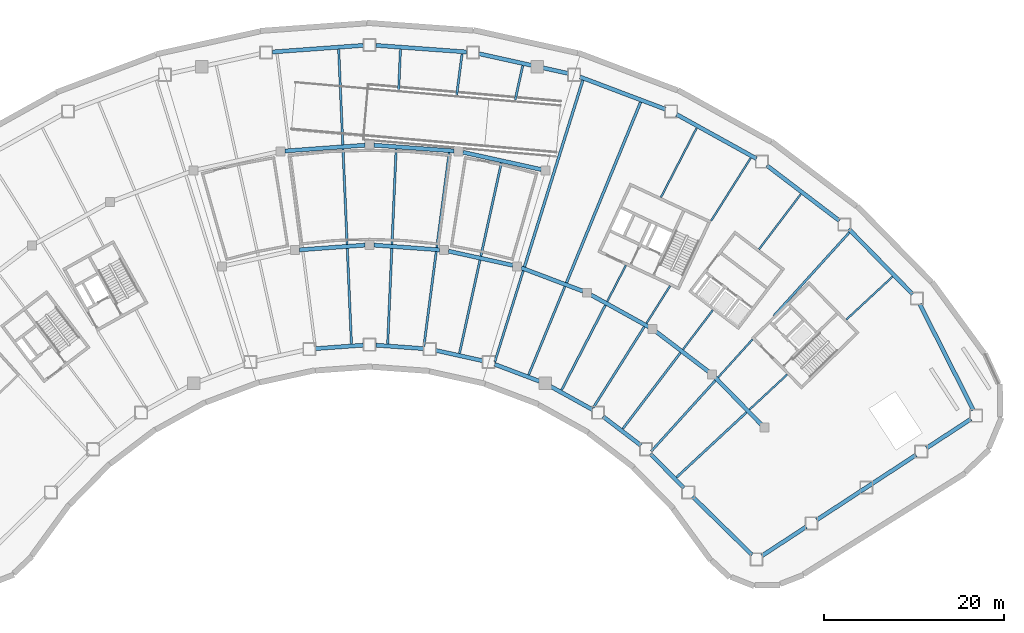
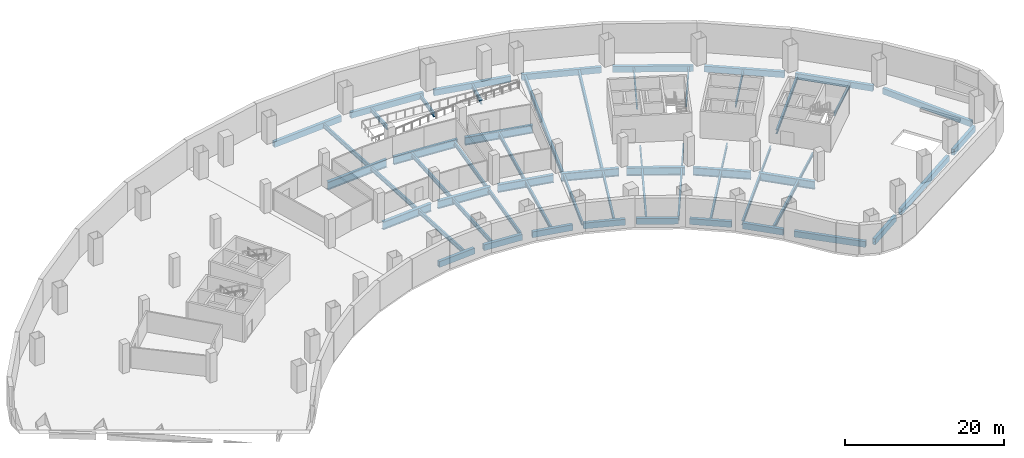
# One storey, part 2 of 11: 60 beams.
"""IFC4 building model written with IfcOpenShell, lengths in metres."""

from ifc_helpers import new_model, si_unit, direction, frame, origin, origin_2d, place, context, subcontext, project, spatial, hollow_rectangle, i_section, extrude, material, material_profile, profile_set, type_object, element, save


model = new_model("IFC4")

# Units and contexts
model_context = context("Model", 3, precision=1e-05, world=origin(), true_north=direction((0.0, 1.0)))
body_context = subcontext(model_context, "Body", "Model", "MODEL_VIEW")
ifc_project = project(units=[si_unit("LENGTHUNIT", "METRE"), si_unit("AREAUNIT", "SQUARE_METRE"), si_unit("VOLUMEUNIT", "CUBIC_METRE"), si_unit("PLANEANGLEUNIT", "RADIAN"), si_unit("MASSUNIT", "GRAM", prefix="KILO")], contexts=[model_context])

# Site, building, storey
site_placement = place(None, origin())
site = spatial("IfcSite", under=ifc_project, at=site_placement, CompositionType="ELEMENT")
building_placement = place(site_placement, origin())
building = spatial("IfcBuilding", under=site, at=building_placement, Name="Tuul Gate Civic Tower", CompositionType="ELEMENT")
storey_placement = place(building_placement, frame((0.0, 0.0, -4.5)))
storey = spatial("IfcBuildingStorey", under=building, at=storey_placement, Name="Basement 1", CompositionType="ELEMENT", Elevation=-4.5)

# Beams
ifc_material_1 = material(Name="Steel S355", Category="steel")
ifc_material_profile_1 = material_profile(ifc_material_1, i_section(OverallWidth=0.199951171875, OverallDepth=0.5, WebThickness=0.010009765625, FlangeThickness=0.01611328125, at=origin_2d()), Name="PG500x200x10x16")
ifc_profile_set_1 = profile_set([ifc_material_profile_1], Name="Steel S355")
beam_type_1 = type_object("IfcBeamType", Name="STR-FLOOR BEAM-PG500x200x10x16", PredefinedType="BEAM", material=ifc_profile_set_1)
beam_1_placement = place(storey_placement, frame((42.313232421875, -20.696533203125, -0.64990234375), z_axis=(0.732672121193, 0.680581782615, 0.0), x_axis=(-0.680581782615, 0.732672121193, 0.0)))
element("IfcBeam", 1, at=beam_1_placement, inside=storey, type_object=beam_type_1, Name="Floor beam", PredefinedType="BEAM", context=body_context, shape_type="SweptSolid", body=[
    extrude(i_section(OverallWidth=0.199951171875, OverallDepth=0.5, WebThickness=0.010009765625, FlangeThickness=0.01611328125, at=origin_2d()), origin(), (0.0, 0.0, 1.0), 5.73193359375),
])
beam_2_placement = place(storey_placement, frame((53.109375, -10.668212890625, -0.64990234375), z_axis=(0.732687862246, 0.680564836381, 0.0), x_axis=(-0.680564836381, 0.732687862246, 0.0)))
element("IfcBeam", 2, at=beam_2_placement, inside=storey, type_object=beam_type_1, Name="Floor beam", PredefinedType="BEAM", context=body_context, shape_type="SweptSolid", body=[
    extrude(i_section(OverallWidth=0.199951171875, OverallDepth=0.5, WebThickness=0.010009765625, FlangeThickness=0.01611328125, at=origin_2d()), origin(), (0.0, 0.0, 1.0), 6.997802734375),
])
beam_3_placement = place(storey_placement, frame((38.812255859375, -17.125, -0.64990234375), z_axis=(0.671102625073, 0.741364462744, 0.0), x_axis=(-0.741364462744, 0.671102625073, 0.0)))
element("IfcBeam", 3, at=beam_3_placement, inside=storey, type_object=beam_type_1, Name="Floor beam", PredefinedType="BEAM", context=body_context, shape_type="SweptSolid", body=[
    extrude(i_section(OverallWidth=0.199951171875, OverallDepth=0.5, WebThickness=0.010009765625, FlangeThickness=0.01611328125, at=origin_2d()), origin(), (0.0, 0.0, 1.0), 5.740234375),
])
beam_4_placement = place(storey_placement, frame((34.8984375, -14.01220703125, -0.64990234375), z_axis=(0.604519082905, 0.79659065925, 0.0), x_axis=(-0.79659065925, 0.604519082905, 0.0)))
element("IfcBeam", 4, at=beam_4_placement, inside=storey, type_object=beam_type_1, Name="Floor beam", PredefinedType="BEAM", context=body_context, shape_type="SweptSolid", body=[
    extrude(i_section(OverallWidth=0.199951171875, OverallDepth=0.5, WebThickness=0.010009765625, FlangeThickness=0.01611328125, at=origin_2d()), origin(), (0.0, 0.0, 1.0), 5.520263671875),
])
beam_5_placement = place(storey_placement, frame((43.373779296875, -2.84375, -0.64990234375), z_axis=(0.604512693182, 0.796595508261, 0.0), x_axis=(-0.796595508261, 0.604512693182, 0.0)))
element("IfcBeam", 5, at=beam_5_placement, inside=storey, type_object=beam_type_1, Name="Floor beam", PredefinedType="BEAM", context=body_context, shape_type="SweptSolid", body=[
    extrude(i_section(OverallWidth=0.199951171875, OverallDepth=0.5, WebThickness=0.010009765625, FlangeThickness=0.01611328125, at=origin_2d()), origin(), (0.0, 0.0, 1.0), 7.704833984375),
])
beam_6_placement = place(storey_placement, frame((30.841552734375, -11.089599609375, -0.64990234375), z_axis=(0.533401895613, 0.845861937763, 0.0), x_axis=(-0.845861937763, 0.533401895613, 0.0)))
element("IfcBeam", 6, at=beam_6_placement, inside=storey, type_object=beam_type_1, Name="Floor beam", PredefinedType="BEAM", context=body_context, shape_type="SweptSolid", body=[
    extrude(i_section(OverallWidth=0.199951171875, OverallDepth=0.5, WebThickness=0.010009765625, FlangeThickness=0.01611328125, at=origin_2d()), origin(), (0.0, 0.0, 1.0), 4.92724609375),
])
beam_7_placement = place(storey_placement, frame((38.0400390625, 0.325927734375, -0.64990234375), z_axis=(0.53337261638, 0.845880400586, 0.0), x_axis=(-0.845880400586, 0.53337261638, 0.0)))
element("IfcBeam", 7, at=beam_7_placement, inside=storey, type_object=beam_type_1, Name="Floor beam", PredefinedType="BEAM", context=body_context, shape_type="SweptSolid", body=[
    extrude(i_section(OverallWidth=0.199951171875, OverallDepth=0.5, WebThickness=0.010009765625, FlangeThickness=0.01611328125, at=origin_2d()), origin(), (0.0, 0.0, 1.0), 8.263916015625),
])
beam_8_placement = place(storey_placement, frame((26.468017578125, -8.6650390625, -0.64990234375), z_axis=(0.458251317749, 0.88882266498, 0.0), x_axis=(-0.88882266498, 0.458251317749, 0.0)))
element("IfcBeam", 8, at=beam_8_placement, inside=storey, type_object=beam_type_1, Name="Floor beam", PredefinedType="BEAM", context=body_context, shape_type="SweptSolid", body=[
    extrude(i_section(OverallWidth=0.199951171875, OverallDepth=0.5, WebThickness=0.010009765625, FlangeThickness=0.01611328125, at=origin_2d()), origin(), (0.0, 0.0, 1.0), 4.54248046875),
])
beam_9_placement = place(storey_placement, frame((32.447998046875, 2.933349609375, -0.64990234375), z_axis=(0.458265539673, 0.888815332422, 0.0), x_axis=(-0.888815332422, 0.458265539673, 0.0)))
element("IfcBeam", 9, at=beam_9_placement, inside=storey, type_object=beam_type_1, Name="Floor beam", PredefinedType="BEAM", context=body_context, shape_type="SweptSolid", body=[
    extrude(i_section(OverallWidth=0.199951171875, OverallDepth=0.5, WebThickness=0.010009765625, FlangeThickness=0.01611328125, at=origin_2d()), origin(), (0.0, 0.0, 1.0), 8.685302734375),
])
ifc_material_2 = material(Name="Steel S355", Category="steel")
ifc_material_profile_2 = material_profile(ifc_material_2, i_section(OverallWidth=0.25, OverallDepth=0.64990234375, WebThickness=0.011962890625, FlangeThickness=0.02001953125, at=origin_2d()), Name="PG650x250x12x20")
ifc_profile_set_2 = profile_set([ifc_material_profile_2], Name="Steel S355")
beam_type_2 = type_object("IfcBeamType", Name="STR-FLOOR BEAM-PG650x250x12x20", PredefinedType="BEAM", material=ifc_profile_set_2)
beam_10_placement = place(storey_placement, frame((34.19580078125, -28.236572265625, -0.72509765625), z_axis=(0.732685493637, 0.680567386387, 0.0), x_axis=(-0.680567386387, 0.732685493637, 0.0)))
element("IfcBeam", 10, at=beam_10_placement, inside=storey, type_object=beam_type_2, Name="Floor beam", PredefinedType="BEAM", context=body_context, shape_type="SweptSolid", body=[
    extrude(i_section(OverallWidth=0.25, OverallDepth=0.64990234375, WebThickness=0.011962890625, FlangeThickness=0.02001953125, at=origin_2d()), origin(), (0.0, 0.0, 1.0), 10.62890625),
])
beam_11_placement = place(storey_placement, frame((31.366455078125, -25.35009765625, -0.72509765625), z_axis=(0.671117501912, 0.741350995567, 0.0), x_axis=(-0.741350995567, 0.671117501912, 0.0)))
element("IfcBeam", 11, at=beam_11_placement, inside=storey, type_object=beam_type_2, Name="Floor beam", PredefinedType="BEAM", context=body_context, shape_type="SweptSolid", body=[
    extrude(i_section(OverallWidth=0.25, OverallDepth=0.64990234375, WebThickness=0.011962890625, FlangeThickness=0.02001953125, at=origin_2d()), origin(), (0.0, 0.0, 1.0), 10.643798828125),
])
beam_12_placement = place(storey_placement, frame((45.019775390625, -10.267578125, -0.72509765625), z_axis=(0.671117634609, 0.741350875441, 0.0), x_axis=(-0.741350875441, 0.671117634609, 0.0)))
element("IfcBeam", 12, at=beam_12_placement, inside=storey, type_object=beam_type_2, Name="Floor beam", PredefinedType="BEAM", context=body_context, shape_type="SweptSolid", body=[
    extrude(i_section(OverallWidth=0.25, OverallDepth=0.64990234375, WebThickness=0.011962890625, FlangeThickness=0.02001953125, at=origin_2d()), origin(), (0.0, 0.0, 1.0), 12.51416015625),
])
beam_13_placement = place(storey_placement, frame((28.20361328125, -22.83447265625, -0.72509765625), z_axis=(0.604505162529, 0.796601222995, 0.0), x_axis=(-0.796601222995, 0.604505162529, 0.0)))
element("IfcBeam", 13, at=beam_13_placement, inside=storey, type_object=beam_type_2, Name="Floor beam", PredefinedType="BEAM", context=body_context, shape_type="SweptSolid", body=[
    extrude(i_section(OverallWidth=0.25, OverallDepth=0.64990234375, WebThickness=0.011962890625, FlangeThickness=0.02001953125, at=origin_2d()), origin(), (0.0, 0.0, 1.0), 10.625),
])
beam_14_placement = place(storey_placement, frame((24.9248046875, -20.47265625, -0.72509765625), z_axis=(0.533386929433, 0.845871375275, 0.0), x_axis=(-0.845871375275, 0.533386929433, 0.0)))
element("IfcBeam", 14, at=beam_14_placement, inside=storey, type_object=beam_type_2, Name="Floor beam", PredefinedType="BEAM", context=body_context, shape_type="SweptSolid", body=[
    extrude(i_section(OverallWidth=0.25, OverallDepth=0.64990234375, WebThickness=0.011962890625, FlangeThickness=0.02001953125, at=origin_2d()), origin(), (0.0, 0.0, 1.0), 10.641845703125),
])
beam_15_placement = place(storey_placement, frame((21.390380859375, -18.512939453125, -0.72509765625), z_axis=(0.45825908174, 0.888818662047, 0.0), x_axis=(-0.888818662047, 0.45825908174, 0.0)))
element("IfcBeam", 15, at=beam_15_placement, inside=storey, type_object=beam_type_2, Name="Floor beam", PredefinedType="BEAM", context=body_context, shape_type="SweptSolid", body=[
    extrude(i_section(OverallWidth=0.25, OverallDepth=0.64990234375, WebThickness=0.011962890625, FlangeThickness=0.02001953125, at=origin_2d()), origin(), (0.0, 0.0, 1.0), 10.629638671875),
])
beam_16_placement = place(storey_placement, frame((17.722900390625, -16.822021484375, -0.72509765625), z_axis=(0.379704054961, 0.92510801026, 0.0), x_axis=(-0.92510801026, 0.379704054961, 0.0)))
element("IfcBeam", 16, at=beam_16_placement, inside=storey, type_object=beam_type_2, Name="Floor beam", PredefinedType="BEAM", context=body_context, shape_type="SweptSolid", body=[
    extrude(i_section(OverallWidth=0.25, OverallDepth=0.64990234375, WebThickness=0.011962890625, FlangeThickness=0.02001953125, at=origin_2d()), origin(), (0.0, 0.0, 1.0), 10.629150390625),
])
beam_17_placement = place(storey_placement, frame((13.9423828125, -15.392822265625, -0.72509765625), z_axis=(0.298314175954, 0.954467732522, 0.0), x_axis=(-0.954467732522, 0.298314175954, 0.0)))
element("IfcBeam", 17, at=beam_17_placement, inside=storey, type_object=beam_type_2, Name="Floor beam", PredefinedType="BEAM", context=body_context, shape_type="SweptSolid", body=[
    extrude(i_section(OverallWidth=0.25, OverallDepth=0.64990234375, WebThickness=0.011962890625, FlangeThickness=0.02001953125, at=origin_2d()), origin(), (0.0, 0.0, 1.0), 10.643310546875),
])
beam_18_placement = place(storey_placement, frame((10.016845703125, -14.432861328125, -0.72509765625), z_axis=(0.21468424909, 0.976683507178, 0.0), x_axis=(-0.976683507178, 0.21468424909, 0.0)))
element("IfcBeam", 18, at=beam_18_placement, inside=storey, type_object=beam_type_2, Name="Floor beam", PredefinedType="BEAM", context=body_context, shape_type="SweptSolid", body=[
    extrude(i_section(OverallWidth=0.25, OverallDepth=0.64990234375, WebThickness=0.011962890625, FlangeThickness=0.02001953125, at=origin_2d()), origin(), (0.0, 0.0, 1.0), 10.625),
])
beam_19_placement = place(storey_placement, frame((12.39453125, -3.6162109375, -0.72509765625), z_axis=(0.214701726188, 0.976679665383, 0.0), x_axis=(-0.976679665383, 0.214701726188, 0.0)))
element("IfcBeam", 19, at=beam_19_placement, inside=storey, type_object=beam_type_2, Name="Floor beam", PredefinedType="BEAM", context=body_context, shape_type="SweptSolid", body=[
    extrude(i_section(OverallWidth=0.25, OverallDepth=0.64990234375, WebThickness=0.011962890625, FlangeThickness=0.02001953125, at=origin_2d()), origin(), (0.0, 0.0, 1.0), 10.650146484375),
])
beam_20_placement = place(storey_placement, frame((16.222900390625, 13.79931640625, -0.72509765625), z_axis=(0.214672804093, 0.976686022826, 0.0), x_axis=(-0.976686022826, 0.214672804093, 0.0)))
element("IfcBeam", 20, at=beam_20_placement, inside=storey, type_object=beam_type_2, Name="Floor beam", PredefinedType="BEAM", context=body_context, shape_type="SweptSolid", body=[
    extrude(i_section(OverallWidth=0.25, OverallDepth=0.64990234375, WebThickness=0.011962890625, FlangeThickness=0.02001953125, at=origin_2d()), origin(), (0.0, 0.0, 1.0), 3.89404296875),
])
beam_21_placement = place(storey_placement, frame((6.05029296875, -13.660888671875, -0.72509765625), z_axis=(0.129450984253, 0.991585822143, 0.0), x_axis=(-0.991585822143, 0.129450984253, 0.0)))
element("IfcBeam", 21, at=beam_21_placement, inside=storey, type_object=beam_type_2, Name="Floor beam", PredefinedType="BEAM", context=body_context, shape_type="SweptSolid", body=[
    extrude(i_section(OverallWidth=0.25, OverallDepth=0.64990234375, WebThickness=0.011962890625, FlangeThickness=0.02001953125, at=origin_2d()), origin(), (0.0, 0.0, 1.0), 10.642578125),
])
beam_22_placement = place(storey_placement, frame((7.486572265625, -2.660888671875, -0.72509765625), z_axis=(0.129466374982, 0.991583812771, 0.0), x_axis=(-0.991583812771, 0.129466374982, 0.0)))
element("IfcBeam", 22, at=beam_22_placement, inside=storey, type_object=beam_type_2, Name="Floor beam", PredefinedType="BEAM", context=body_context, shape_type="SweptSolid", body=[
    extrude(i_section(OverallWidth=0.25, OverallDepth=0.64990234375, WebThickness=0.011962890625, FlangeThickness=0.02001953125, at=origin_2d()), origin(), (0.0, 0.0, 1.0), 10.667724609375),
])
beam_23_placement = place(storey_placement, frame((9.7099609375, 14.369140625, -0.72509765625), z_axis=(0.12945068519, 0.991585861186, 0.0), x_axis=(-0.991585861186, 0.12945068519, 0.0)))
element("IfcBeam", 23, at=beam_23_placement, inside=storey, type_object=beam_type_2, Name="Floor beam", PredefinedType="BEAM", context=body_context, shape_type="SweptSolid", body=[
    extrude(i_section(OverallWidth=0.25, OverallDepth=0.64990234375, WebThickness=0.011962890625, FlangeThickness=0.02001953125, at=origin_2d()), origin(), (0.0, 0.0, 1.0), 4.586669921875),
])
beam_24_placement = place(storey_placement, frame((2.019287109375, -13.36865234375, -0.72509765625), z_axis=(0.043272760157, 0.999063295406, 0.0), x_axis=(-0.999063295406, 0.043272760157, 0.0)))
element("IfcBeam", 24, at=beam_24_placement, inside=storey, type_object=beam_type_2, Name="Floor beam", PredefinedType="BEAM", context=body_context, shape_type="SweptSolid", body=[
    extrude(i_section(OverallWidth=0.25, OverallDepth=0.64990234375, WebThickness=0.011962890625, FlangeThickness=0.02001953125, at=origin_2d()), origin(), (0.0, 0.0, 1.0), 10.62939453125),
])
beam_25_placement = place(storey_placement, frame((2.49853515625, -2.299560546875, -0.72509765625), z_axis=(0.043262210192, 0.999063752305, 0.0), x_axis=(-0.999063752305, 0.043262210192, 0.0)))
element("IfcBeam", 25, at=beam_25_placement, inside=storey, type_object=beam_type_2, Name="Floor beam", PredefinedType="BEAM", context=body_context, shape_type="SweptSolid", body=[
    extrude(i_section(OverallWidth=0.25, OverallDepth=0.64990234375, WebThickness=0.011962890625, FlangeThickness=0.02001953125, at=origin_2d()), origin(), (0.0, 0.0, 1.0), 10.654541015625),
])
beam_26_placement = place(storey_placement, frame((3.244873046875, 14.934814453125, -0.72509765625), z_axis=(0.04328835746, 0.999062619713, 0.0), x_axis=(-0.999062619713, 0.04328835746, 0.0)))
element("IfcBeam", 26, at=beam_26_placement, inside=storey, type_object=beam_type_2, Name="Floor beam", PredefinedType="BEAM", context=body_context, shape_type="SweptSolid", body=[
    extrude(i_section(OverallWidth=0.25, OverallDepth=0.64990234375, WebThickness=0.011962890625, FlangeThickness=0.02001953125, at=origin_2d()), origin(), (0.0, 0.0, 1.0), 4.483642578125),
])
beam_27_placement = place(storey_placement, frame((-2.019287109375, -13.36865234375, -0.72509765625), z_axis=(-0.043272760157, 0.999063295406, 0.0), x_axis=(-0.999063295406, -0.043272760157, 0.0)))
element("IfcBeam", 27, at=beam_27_placement, inside=storey, type_object=beam_type_2, Name="Floor beam", PredefinedType="BEAM", context=body_context, shape_type="SweptSolid", body=[
    extrude(i_section(OverallWidth=0.25, OverallDepth=0.64990234375, WebThickness=0.011962890625, FlangeThickness=0.02001953125, at=origin_2d()), origin(), (0.0, 0.0, 1.0), 10.62939453125),
])
beam_28_placement = place(storey_placement, frame((-2.49853515625, -2.299560546875, -0.72509765625), z_axis=(-0.043262210192, 0.999063752305, 0.0), x_axis=(-0.999063752305, -0.043262210192, 0.0)))
element("IfcBeam", 28, at=beam_28_placement, inside=storey, type_object=beam_type_2, Name="Floor beam", PredefinedType="BEAM", context=body_context, shape_type="SweptSolid", body=[
    extrude(i_section(OverallWidth=0.25, OverallDepth=0.64990234375, WebThickness=0.011962890625, FlangeThickness=0.02001953125, at=origin_2d()), origin(), (0.0, 0.0, 1.0), 10.654541015625),
])
beam_29_placement = place(storey_placement, frame((-2.97900390625, 8.794921875, -0.72509765625), z_axis=(-0.043272760157, 0.999063295406, 0.0), x_axis=(-0.999063295406, -0.043272760157, 0.0)))
element("IfcBeam", 29, at=beam_29_placement, inside=storey, type_object=beam_type_2, Name="Floor beam", PredefinedType="BEAM", context=body_context, shape_type="SweptSolid", body=[
    extrude(i_section(OverallWidth=0.25, OverallDepth=0.64990234375, WebThickness=0.011962890625, FlangeThickness=0.02001953125, at=origin_2d()), origin(), (0.0, 0.0, 1.0), 10.62939453125),
])
ifc_material_3 = material(Name="Steel S355", Category="steel")
ifc_material_profile_3 = material_profile(ifc_material_3, i_section(OverallWidth=0.300048828125, OverallDepth=0.800048828125, WebThickness=0.013916015625, FlangeThickness=0.02490234375, at=origin_2d()), Name="PG800x300x14x25")
ifc_profile_set_3 = profile_set([ifc_material_profile_3], Name="Steel S355")
beam_type_3 = type_object("IfcBeamType", Name="STR-FLOOR BEAM-PG800x300x14x25", PredefinedType="BEAM", material=ifc_profile_set_3)
beam_30_placement = place(storey_placement, frame((21.9296875, -6.572509765625, -0.800048828125), z_axis=(0.379721285289, 0.925100938005, 0.0), x_axis=(-0.925100938005, 0.379721285289, 0.0)))
element("IfcBeam", 30, at=beam_30_placement, inside=storey, type_object=beam_type_3, Name="Floor beam", PredefinedType="BEAM", context=body_context, shape_type="SweptSolid", body=[
    extrude(i_section(OverallWidth=0.300048828125, OverallDepth=0.800048828125, WebThickness=0.013916015625, FlangeThickness=0.02490234375, at=origin_2d()), origin(), (0.0, 0.0, 1.0), 21.733642578125),
])
beam_31_placement = place(storey_placement, frame((17.251953125, -4.803955078125, -0.800048828125), z_axis=(0.298320984436, 0.954465604537, 0.0), x_axis=(-0.954465604537, 0.298320984436, 0.0)))
element("IfcBeam", 31, at=beam_31_placement, inside=storey, type_object=beam_type_3, Name="Floor beam", PredefinedType="BEAM", context=body_context, shape_type="SweptSolid", body=[
    extrude(i_section(OverallWidth=0.300048828125, OverallDepth=0.800048828125, WebThickness=0.013916015625, FlangeThickness=0.02490234375, at=origin_2d()), origin(), (0.0, 0.0, 1.0), 21.762451171875),
])
ifc_material_4 = material(Name="Steel S355", Category="steel")
ifc_material_profile_4 = material_profile(ifc_material_4, i_section(OverallWidth=0.449951171875, OverallDepth=1.199951171875, WebThickness=0.02001953125, FlangeThickness=0.0400390625, at=origin_2d()), Name="PG1200x450x20x40")
ifc_profile_set_4 = profile_set([ifc_material_profile_4], Name="Steel S355")
beam_type_4 = type_object("IfcBeamType", Name="STR-RING BEAM-PG1200x450x20x40", PredefinedType="BEAM", material=ifc_profile_set_4)
for number, where, z_axis, x_axis, name in (
    (32, (-9.41357421875, 8.10302734375, -1.0), (0.997386793106, 0.072246694996, 0.0), (-0.072246694996, 0.997386793106, 0.0), "Ring girder"),
    (33, (0.498779296875, 8.748779296875, -1.0), (0.997386793106, -0.072246694996, 0.0), (0.072246694996, 0.997386793106, 0.0), "Ring girder"),
):
    element("IfcBeam", number, at=place(storey_placement, frame(where, z_axis=z_axis, x_axis=x_axis)), inside=storey, type_object=beam_type_4, Name=name, PredefinedType="BEAM", context=body_context, shape_type="SweptSolid", body=[
        extrude(i_section(OverallWidth=0.449951171875, OverallDepth=1.199951171875, WebThickness=0.02001953125, FlangeThickness=0.0400390625, at=origin_2d()), origin(), (0.0, 0.0, 1.0), 8.938232421875),
    ])
beam_32_placement = place(storey_placement, frame((10.400634765625, 7.95947265625, -1.0), z_axis=(0.976563468048, -0.215229628244, 0.0), x_axis=(0.215229628244, 0.976563468048, 0.0)))
element("IfcBeam", 34, at=beam_32_placement, inside=storey, type_object=beam_type_4, Name="Ring girder", PredefinedType="BEAM", context=body_context, shape_type="SweptSolid", body=[
    extrude(i_section(OverallWidth=0.449951171875, OverallDepth=1.199951171875, WebThickness=0.02001953125, FlangeThickness=0.0400390625, at=origin_2d()), origin(), (0.0, 0.0, 1.0), 8.9384765625),
])
for number, where, z_axis, x_axis, name in (
    (35, (-7.81005859375, -2.909912109375, -1.0), (0.997384969951, 0.072271859779, 0.0), (-0.072271859779, 0.997384969951, 0.0), "Ring girder"),
    (36, (0.498779296875, -2.380126953125, -1.0), (0.997384969951, -0.072271859779, 0.0), (0.072271859779, 0.997384969951, 0.0), "Ring girder"),
):
    element("IfcBeam", number, at=place(storey_placement, frame(where, z_axis=z_axis, x_axis=x_axis)), inside=storey, type_object=beam_type_4, Name=name, PredefinedType="BEAM", context=body_context, shape_type="SweptSolid", body=[
        extrude(i_section(OverallWidth=0.449951171875, OverallDepth=1.199951171875, WebThickness=0.02001953125, FlangeThickness=0.0400390625, at=origin_2d()), origin(), (0.0, 0.0, 1.0), 7.33056640625),
    ])
beam_33_placement = place(storey_placement, frame((8.796875, -3.0537109375, -1.0), z_axis=(0.97656794967, -0.215209292731, 0.0), x_axis=(0.215209292731, 0.97656794967, 0.0)))
element("IfcBeam", 37, at=beam_33_placement, inside=storey, type_object=beam_type_4, Name="Ring girder", PredefinedType="BEAM", context=body_context, shape_type="SweptSolid", body=[
    extrude(i_section(OverallWidth=0.449951171875, OverallDepth=1.199951171875, WebThickness=0.02001953125, FlangeThickness=0.0400390625, at=origin_2d()), origin(), (0.0, 0.0, 1.0), 7.330810546875),
])
beam_34_placement = place(storey_placement, frame((16.91162109375, -4.915771484375, -1.0), z_axis=(0.935382755179, -0.353636962595, 0.0), x_axis=(0.353636962595, 0.935382755179, 0.0)))
element("IfcBeam", 38, at=beam_34_placement, inside=storey, type_object=beam_type_4, Name="Ring girder", PredefinedType="BEAM", context=body_context, shape_type="SweptSolid", body=[
    extrude(i_section(OverallWidth=0.449951171875, OverallDepth=1.199951171875, WebThickness=0.02001953125, FlangeThickness=0.0400390625, at=origin_2d()), origin(), (0.0, 0.0, 1.0), 7.330322265625),
])
beam_35_placement = place(storey_placement, frame((24.67333984375, -7.927490234375, -1.0), z_axis=(0.874595196089, -0.484853836717, 0.0), x_axis=(0.484853836717, 0.874595196089, 0.0)))
element("IfcBeam", 39, at=beam_35_placement, inside=storey, type_object=beam_type_4, Name="Ring girder", PredefinedType="BEAM", context=body_context, shape_type="SweptSolid", body=[
    extrude(i_section(OverallWidth=0.449951171875, OverallDepth=1.199951171875, WebThickness=0.02001953125, FlangeThickness=0.0400390625, at=origin_2d()), origin(), (0.0, 0.0, 1.0), 7.3310546875),
])
beam_36_placement = place(storey_placement, frame((31.920166015625, -12.02734375, -1.0), z_axis=(0.795630466158, -0.605782272207, 0.0), x_axis=(0.605782272207, 0.795630466158, 0.0)))
element("IfcBeam", 40, at=beam_36_placement, inside=storey, type_object=beam_type_4, Name="Ring girder", PredefinedType="BEAM", context=body_context, shape_type="SweptSolid", body=[
    extrude(i_section(OverallWidth=0.449951171875, OverallDepth=1.199951171875, WebThickness=0.02001953125, FlangeThickness=0.0400390625, at=origin_2d()), origin(), (0.0, 0.0, 1.0), 7.330078125),
])
beam_37_placement = place(storey_placement, frame((38.5, -17.127685546875, -1.0), z_axis=(0.699994492155, -0.71414824158, 0.0), x_axis=(0.71414824158, 0.699994492155, 0.0)))
element("IfcBeam", 41, at=beam_37_placement, inside=storey, type_object=beam_type_4, Name="Ring girder", PredefinedType="BEAM", context=body_context, shape_type="SweptSolid", body=[
    extrude(i_section(OverallWidth=0.449951171875, OverallDepth=1.199951171875, WebThickness=0.02001953125, FlangeThickness=0.0400390625, at=origin_2d()), origin(), (0.0, 0.0, 1.0), 7.330810546875),
])
ifc_material_5 = material(Name="Steel S355", Category="steel")
ifc_material_profile_5 = material_profile(ifc_material_5, hollow_rectangle(XDim=0.449951171875, YDim=0.89990234375, WallThickness=0.02490234375, at=origin_2d()), Name="BOX900x450x25")
ifc_profile_set_5 = profile_set([ifc_material_profile_5], Name="Steel S355")
beam_type_5 = type_object("IfcBeamType", Name="STR-SPANDREL BEAM-BOX900x450x25", PredefinedType="BEAM", material=ifc_profile_set_5)
beam_38_placement = place(storey_placement, frame((67.245849609375, -20.742431640625, -0.85009765625), z_axis=(-0.451678979782, 0.892180530623, 0.0), x_axis=(-0.892180530623, -0.451678979782, 0.0)))
element("IfcBeam", 42, at=beam_38_placement, inside=storey, type_object=beam_type_5, Name="Spandrel beam", PredefinedType="BEAM", context=body_context, shape_type="SweptSolid", body=[
    extrude(hollow_rectangle(XDim=0.449951171875, YDim=0.89990234375, WallThickness=0.02490234375, at=origin_2d()), origin(), (0.0, 0.0, 1.0), 13.214599609375),
])
beam_39_placement = place(storey_placement, frame((60.470947265625, -7.828125, -0.85009765625), z_axis=(-0.700009826077, 0.714133211239, 0.0), x_axis=(-0.714133211239, -0.700009826077, 0.0)))
element("IfcBeam", 43, at=beam_39_placement, inside=storey, type_object=beam_type_5, Name="Spandrel beam", PredefinedType="BEAM", context=body_context, shape_type="SweptSolid", body=[
    extrude(hollow_rectangle(XDim=0.449951171875, YDim=0.89990234375, WallThickness=0.02490234375, at=origin_2d()), origin(), (0.0, 0.0, 1.0), 10.14697265625),
])
for number, where, z_axis, x_axis, name in (
    (44, (52.321044921875, 0.342041015625, -0.85009765625), (-0.795616160285, 0.605801060987, 0.0), (-0.605801060987, -0.795616160285, 0.0), "Spandrel beam"),
    (45, (43.078857421875, 7.25244140625, -0.85009765625), (-0.874621074476, 0.484807153497, 0.0), (-0.484807153497, -0.874621074476, 0.0), "Spandrel beam"),
):
    element("IfcBeam", number, at=place(storey_placement, frame(where, z_axis=z_axis, x_axis=x_axis)), inside=storey, type_object=beam_type_5, Name=name, PredefinedType="BEAM", context=body_context, shape_type="SweptSolid", body=[
        extrude(hollow_rectangle(XDim=0.449951171875, YDim=0.89990234375, WallThickness=0.02490234375, at=origin_2d()), origin(), (0.0, 0.0, 1.0), 10.146728515625),
    ])
for number, where, z_axis, x_axis, name in (
    (46, (32.937255859375, 12.758544921875, -0.85009765625), (-0.935355549891, 0.353708913215, 0.0), (-0.353708913215, -0.935355549891, 0.0), "Spandrel beam"),
    (47, (22.1083984375, 16.74560546875, -0.85009765625), (-0.976563206365, 0.215230815575, 0.0), (-0.215230815575, -0.976563206365, 0.0), "Spandrel beam"),
):
    element("IfcBeam", number, at=place(storey_placement, frame(where, z_axis=z_axis, x_axis=x_axis)), inside=storey, type_object=beam_type_5, Name=name, PredefinedType="BEAM", context=body_context, shape_type="SweptSolid", body=[
        extrude(hollow_rectangle(XDim=0.449951171875, YDim=0.89990234375, WallThickness=0.02490234375, at=origin_2d()), origin(), (0.0, 0.0, 1.0), 10.146484375),
    ])
for number, where, z_axis, x_axis, name in (
    (48, (10.81787109375, 19.130615234375, -0.85009765625), (-0.997387610721, 0.072235406692, 0.0), (-0.072235406692, -0.997387610721, 0.0), "Spandrel beam"),
    (49, (-0.6982421875, 19.863525390625, -0.85009765625), (-0.997387610721, -0.072235406692, 0.0), (0.072235406692, -0.997387610721, 0.0), "Spandrel beam"),
):
    element("IfcBeam", number, at=place(storey_placement, frame(where, z_axis=z_axis, x_axis=x_axis)), inside=storey, type_object=beam_type_5, Name=name, PredefinedType="BEAM", context=body_context, shape_type="SweptSolid", body=[
        extrude(hollow_rectangle(XDim=0.449951171875, YDim=0.89990234375, WallThickness=0.02490234375, at=origin_2d()), origin(), (0.0, 0.0, 1.0), 10.146240234375),
    ])
for number, where, z_axis, x_axis, name in (
    (50, (-6.0068359375, -13.908447265625, -0.85009765625), (0.997383645768, 0.072290131794, 0.0), (-0.072290131794, 0.997383645768, 0.0), "Spandrel beam"),
    (51, (0.6982421875, -13.523681640625, -0.85009765625), (0.997383645768, -0.072290131794, 0.0), (0.072290131794, 0.997383645768, 0.0), "Spandrel beam"),
    (52, (7.388671875, -14.109619140625, -0.85009765625), (0.976555830426, -0.215264279577, 0.0), (0.215264279577, 0.976555830426, 0.0), "Spandrel beam"),
):
    element("IfcBeam", number, at=place(storey_placement, frame(where, z_axis=z_axis, x_axis=x_axis)), inside=storey, type_object=beam_type_5, Name=name, PredefinedType="BEAM", context=body_context, shape_type="SweptSolid", body=[
        extrude(hollow_rectangle(XDim=0.449951171875, YDim=0.89990234375, WallThickness=0.02490234375, at=origin_2d()), origin(), (0.0, 0.0, 1.0), 5.322509765625),
    ])
beam_40_placement = place(storey_placement, frame((13.9248046875, -15.653564453125, -0.85009765625), z_axis=(0.935406025935, -0.353575404468, 0.0), x_axis=(0.353575404468, 0.935406025935, 0.0)))
element("IfcBeam", 53, at=beam_40_placement, inside=storey, type_object=beam_type_5, Name="Spandrel beam", PredefinedType="BEAM", context=body_context, shape_type="SweptSolid", body=[
    extrude(hollow_rectangle(XDim=0.449951171875, YDim=0.89990234375, WallThickness=0.02490234375, at=origin_2d()), origin(), (0.0, 0.0, 1.0), 5.322265625),
])
beam_41_placement = place(storey_placement, frame((20.170166015625, -18.122314453125, -0.85009765625), z_axis=(0.87456368019, -0.484910681769, 0.0), x_axis=(0.484910681769, 0.87456368019, 0.0)))
element("IfcBeam", 54, at=beam_41_placement, inside=storey, type_object=beam_type_5, Name="Spandrel beam", PredefinedType="BEAM", context=body_context, shape_type="SweptSolid", body=[
    extrude(hollow_rectangle(XDim=0.449951171875, YDim=0.89990234375, WallThickness=0.02490234375, at=origin_2d()), origin(), (0.0, 0.0, 1.0), 5.3232421875),
])
beam_42_placement = place(storey_placement, frame((25.994873046875, -21.467041015625, -0.85009765625), z_axis=(0.795624397763, -0.605790242315, 0.0), x_axis=(0.605790242315, 0.795624397763, 0.0)))
element("IfcBeam", 55, at=beam_42_placement, inside=storey, type_object=beam_type_5, Name="Spandrel beam", PredefinedType="BEAM", context=body_context, shape_type="SweptSolid", body=[
    extrude(hollow_rectangle(XDim=0.449951171875, YDim=0.89990234375, WallThickness=0.02490234375, at=origin_2d()), origin(), (0.0, 0.0, 1.0), 5.32177734375),
])
beam_43_placement = place(storey_placement, frame((31.276123046875, -25.614990234375, -0.85009765625), z_axis=(0.700007662648, -0.714135331876, 0.0), x_axis=(0.714135331876, 0.700007662648, 0.0)))
element("IfcBeam", 56, at=beam_43_placement, inside=storey, type_object=beam_type_5, Name="Spandrel beam", PredefinedType="BEAM", context=body_context, shape_type="SweptSolid", body=[
    extrude(hollow_rectangle(XDim=0.449951171875, YDim=0.89990234375, WallThickness=0.02490234375, at=origin_2d()), origin(), (0.0, 0.0, 1.0), 5.322509765625),
])
beam_44_placement = place(storey_placement, frame((35.991943359375, -30.406005859375, -0.85009765625), z_axis=(0.714257932821, -0.699882565437, 0.0), x_axis=(0.699882565437, 0.714257932821, 0.0)))
element("IfcBeam", 57, at=beam_44_placement, inside=storey, type_object=beam_type_5, Name="Spandrel beam", PredefinedType="BEAM", context=body_context, shape_type="SweptSolid", body=[
    extrude(hollow_rectangle(XDim=0.449951171875, YDim=0.89990234375, WallThickness=0.02490234375, at=origin_2d()), origin(), (0.0, 0.0, 1.0), 9.255859375),
])
beam_45_placement = place(storey_placement, frame((43.688720703125, -36.99072265625, -0.85009765625), z_axis=(0.836737319566, 0.547604472265, 0.0), x_axis=(-0.547604472265, 0.836737319566, 0.0)))
element("IfcBeam", 58, at=beam_45_placement, inside=storey, type_object=beam_type_5, Name="Spandrel beam", PredefinedType="BEAM", context=body_context, shape_type="SweptSolid", body=[
    extrude(hollow_rectangle(XDim=0.449951171875, YDim=0.89990234375, WallThickness=0.02490234375, at=origin_2d()), origin(), (0.0, 0.0, 1.0), 5.908203125),
])
beam_46_placement = place(storey_placement, frame((49.8037109375, -32.98876953125, -0.85009765625), z_axis=(0.836741071493, 0.547598739294, 0.0), x_axis=(-0.547598739294, 0.836741071493, 0.0)))
element("IfcBeam", 59, at=beam_46_placement, inside=storey, type_object=beam_type_5, Name="Spandrel beam", PredefinedType="BEAM", context=body_context, shape_type="SweptSolid", body=[
    extrude(hollow_rectangle(XDim=0.449951171875, YDim=0.89990234375, WallThickness=0.02490234375, at=origin_2d()), origin(), (0.0, 0.0, 1.0), 13.215087890625),
])
beam_47_placement = place(storey_placement, frame((62.03271484375, -24.985595703125, -0.85009765625), z_axis=(0.836737319566, 0.547604472265, 0.0), x_axis=(-0.547604472265, 0.836737319566, 0.0)))
element("IfcBeam", 60, at=beam_47_placement, inside=storey, type_object=beam_type_5, Name="Spandrel beam", PredefinedType="BEAM", context=body_context, shape_type="SweptSolid", body=[
    extrude(hollow_rectangle(XDim=0.449951171875, YDim=0.89990234375, WallThickness=0.02490234375, at=origin_2d()), origin(), (0.0, 0.0, 1.0), 5.908203125),
])

save(model, "model.ifc")
